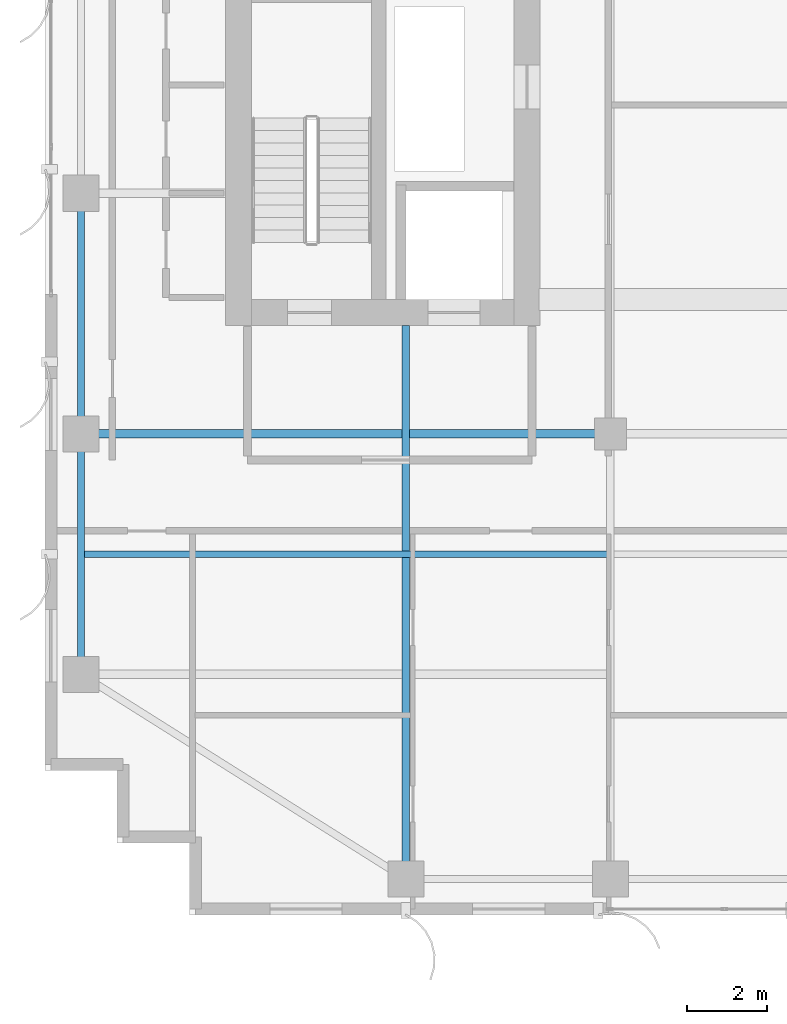
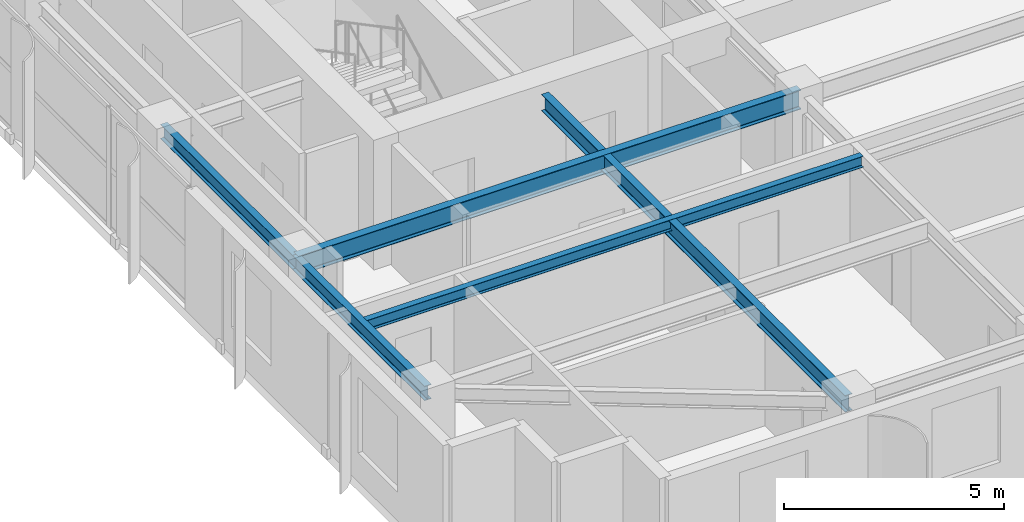
# One storey, part 3 of 25: 5 beams.
"""IFC4 building model written with IfcOpenShell, lengths in metres."""

from ifc_helpers import new_model, si_unit, direction, frame, origin, origin_2d, place, context, subcontext, project, spatial, i_section, extrude, source, transform, mapped, material, material_profile, profile_set, type_object, element, save


model = new_model("IFC4")

# Units and contexts
model_context = context("Model", 3, precision=1e-05, world=origin(), true_north=direction((0.0, 1.0)))
body_context = subcontext(model_context, "Body", "Model", "MODEL_VIEW")
ifc_project = project(units=[si_unit("LENGTHUNIT", "METRE"), si_unit("AREAUNIT", "SQUARE_METRE"), si_unit("VOLUMEUNIT", "CUBIC_METRE"), si_unit("PLANEANGLEUNIT", "RADIAN"), si_unit("MASSUNIT", "GRAM", prefix="KILO")], contexts=[model_context])

# Site, building, storey
site_placement = place(None, origin())
site = spatial("IfcSite", under=ifc_project, at=site_placement, CompositionType="ELEMENT")
building_placement = place(site_placement, origin())
building = spatial("IfcBuilding", under=site, at=building_placement, Name="Khoralis Quay Care Tower", CompositionType="ELEMENT")
storey_placement = place(building_placement, frame((0.0, 0.0, 166.5)))
storey = spatial("IfcBuildingStorey", under=building, at=storey_placement, Name="L43", CompositionType="ELEMENT", Elevation=166.5)

# Beams
ifc_material = material(Name="Steel S355", Category="steel")
ifc_material_profile_1 = material_profile(ifc_material, i_section(OverallWidth=0.179931640625, OverallDepth=0.39990234375, WebThickness=0.008544921875, FlangeThickness=0.013427734375, FilletRadius=0.02099609375, at=origin_2d()), Name="Steel S355")
ifc_profile_set_1 = profile_set([ifc_material_profile_1], Name="Steel S355")
beam_type_1 = type_object("IfcBeamType", Name="BM-IPE400", PredefinedType="SPANDREL", material=ifc_profile_set_1)
shared_shape_1 = source(origin(), body_context, "Body", "SweptSolid", [
    extrude(i_section(OverallWidth=0.179931640625, OverallDepth=0.39990234375, WebThickness=0.008544921875, FlangeThickness=0.013427734375, FilletRadius=0.02099609375, at=origin_2d()), origin(), (0.0, 0.0, 1.0), 6.0),
])
for number, where, z_axis, x_axis, name in (
    (1, (3.89990234375, 6.0, 3.139892578125), (0.0, 1.0, 0.0), (-1.0, 0.0, 0.0), "BM-TSP-L43-09"),
    (2, (3.89990234375, 12.0, 3.139892578125), (0.0, 1.0, 0.0), (-1.0, 0.0, 0.0), "BM-TSP-L43-10"),
):
    element("IfcBeam", number, at=place(storey_placement, frame(where, z_axis=z_axis, x_axis=x_axis)), inside=storey, type_object=beam_type_1, Name=name, PredefinedType="SPANDREL", context=body_context, shape_type="MappedRepresentation", body=[
        mapped(shared_shape_1, transform((0.0, 0.0, 0.0), scale=1.0)),
    ])
ifc_material_profile_2 = material_profile(ifc_material, i_section(OverallWidth=0.208984375, OverallDepth=0.532958984375, WebThickness=0.01025390625, FlangeThickness=0.015625, FilletRadius=0.01611328125, at=origin_2d()), Name="Steel S355")
ifc_profile_set_2 = profile_set([ifc_material_profile_2], Name="Steel S355")
beam_type_2 = type_object("IfcBeamType", Name="BM-W530X92", PredefinedType="BEAM", material=ifc_profile_set_2)
shared_shape_2 = source(origin(), body_context, "Body", "SweptSolid", [
    extrude(i_section(OverallWidth=0.208984375, OverallDepth=0.532958984375, WebThickness=0.01025390625, FlangeThickness=0.015625, FilletRadius=0.01611328125, at=origin_2d()), origin(), (0.0, 0.0, 1.0), 13.2001953125),
])
beam_1_placement = place(storey_placement, frame((3.89990234375, 12.0, 3.073486328125), z_axis=(1.0, 0.0, 0.0), x_axis=(0.0, 1.0, 0.0)))
element("IfcBeam", 3, at=beam_1_placement, inside=storey, type_object=beam_type_2, Name="BM-TGXW-L43-120", PredefinedType="BEAM", context=body_context, shape_type="MappedRepresentation", body=[
    mapped(shared_shape_2, transform((0.0, 0.0, 0.0), scale=1.0)),
])
ifc_material_profile_3 = material_profile(ifc_material, i_section(OverallWidth=0.19189453125, OverallDepth=0.462890625, WebThickness=0.010498046875, FlangeThickness=0.017578125, FilletRadius=0.014892578125, at=origin_2d()), Name="Steel S355")
ifc_profile_set_3 = profile_set([ifc_material_profile_3], Name="Steel S355")
beam_type_3 = type_object("IfcBeamType", Name="BM-W460X89", PredefinedType="BEAM", material=ifc_profile_set_3)
shared_shape_3 = source(origin(), body_context, "Body", "SweptSolid", [
    extrude(i_section(OverallWidth=0.19189453125, OverallDepth=0.462890625, WebThickness=0.010498046875, FlangeThickness=0.017578125, FilletRadius=0.014892578125, at=origin_2d()), origin(), (0.0, 0.0, 1.0), 13.802001953125),
])
beam_2_placement = place(storey_placement, frame((12.0, 0.89990234375, 3.1083984375), z_axis=(0.0, 1.0, 0.0), x_axis=(-1.0, 0.0, 0.0)))
element("IfcBeam", 4, at=beam_2_placement, inside=storey, type_object=beam_type_3, Name="BM-TGYS-L43-120", PredefinedType="BEAM", context=body_context, shape_type="MappedRepresentation", body=[
    mapped(shared_shape_3, transform((0.0, 0.0, 0.0), scale=1.0)),
])
ifc_material_profile_4 = material_profile(ifc_material, i_section(OverallWidth=0.1650390625, OverallDepth=0.31005859375, WebThickness=0.005859375, FlangeThickness=0.009765625, FilletRadius=0.011962890625, at=origin_2d()), Name="Steel S355")
ifc_profile_set_4 = profile_set([ifc_material_profile_4], Name="Steel S355")
beam_type_4 = type_object("IfcBeamType", Name="BM-W310X39", PredefinedType="JOIST", material=ifc_profile_set_4)
shared_shape_4 = source(origin(), body_context, "Body", "SweptSolid", [
    extrude(i_section(OverallWidth=0.1650390625, OverallDepth=0.31005859375, WebThickness=0.005859375, FlangeThickness=0.009765625, FilletRadius=0.011962890625, at=origin_2d()), origin(), (0.0, 0.0, 1.0), 13.0400390625),
])
beam_3_placement = place(storey_placement, frame((3.97607421875, 9.0, 3.18505859375), z_axis=(1.0, 0.0, 0.0), x_axis=(0.0, 1.0, 0.0)))
element("IfcBeam", 5, at=beam_3_placement, inside=storey, type_object=beam_type_4, Name="BM-TJS-L43-23", PredefinedType="JOIST", context=body_context, shape_type="MappedRepresentation", body=[
    mapped(shared_shape_4, transform((0.0, 0.0, 0.0), scale=1.0)),
])

save(model, "model.ifc")
